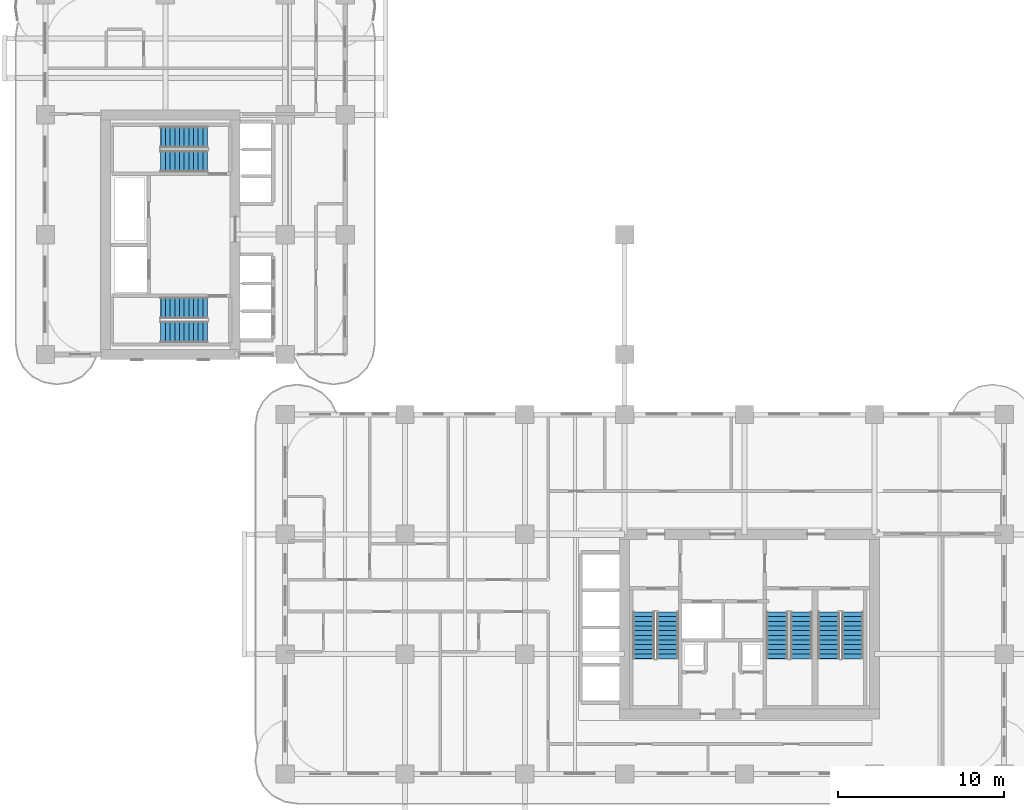
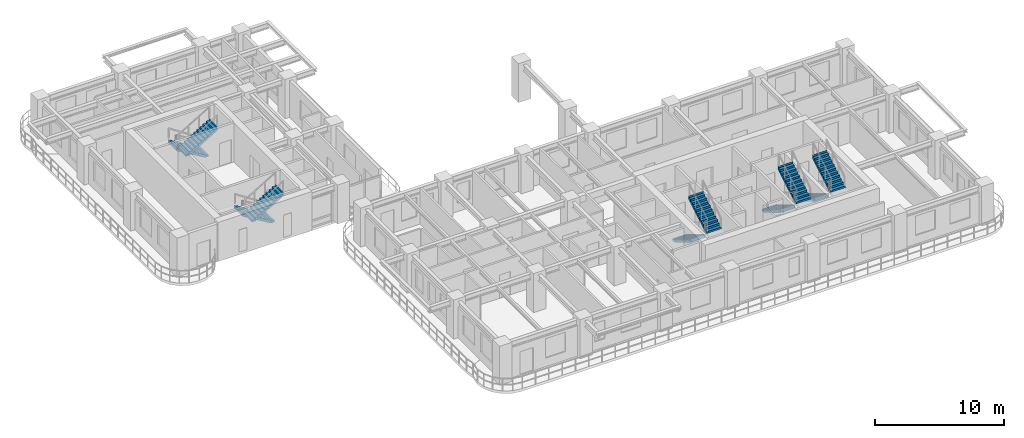
# One storey, part 12 of 19: 10 stair flights, 5 elements without a shape of their own.
"""IFC4 building model written with IfcOpenShell, lengths in metres."""

from ifc_helpers import new_model, si_unit, derived_unit, direction, frame, origin, place, context, subcontext, project, spatial, polyline, outline, extrude, source, transform, mapped, material, layer, layer_set, type_object, element, aggregate, save


model = new_model("IFC4")

# Units and contexts
model_context = context("Model", 3, precision=1e-05, world=origin(), true_north=direction((0.0, 1.0)))
body_context = subcontext(model_context, "Body", "Model", "MODEL_VIEW")
ifc_project = project(units=[si_unit("LENGTHUNIT", "METRE"), si_unit("AREAUNIT", "SQUARE_METRE"), si_unit("VOLUMEUNIT", "CUBIC_METRE"), si_unit("PLANEANGLEUNIT", "RADIAN"), si_unit("MASSUNIT", "GRAM", prefix="KILO"), si_unit("THERMODYNAMICTEMPERATUREUNIT", "KELVIN"), si_unit("POWERUNIT", "WATT"), derived_unit("THERMALTRANSMITTANCEUNIT", [(si_unit("POWERUNIT", "WATT"), 1), (si_unit("AREAUNIT", "SQUARE_METRE"), -1), (si_unit("THERMODYNAMICTEMPERATUREUNIT", "KELVIN"), -1)])], contexts=[model_context])

# Site, building, storey
site_placement = place(None, origin())
site = spatial("IfcSite", under=ifc_project, at=site_placement, CompositionType="ELEMENT")
building_placement = place(site_placement, origin())
building = spatial("IfcBuilding", under=site, at=building_placement, Name="Zahravan Archway Hotel and Residences", CompositionType="ELEMENT")
storey_placement = place(building_placement, frame((0.0, 0.0, 43.5)))
storey = spatial("IfcBuildingStorey", under=building, at=storey_placement, Name="L09", CompositionType="ELEMENT", Elevation=43.5)

# Stair, stair flights
ifc_material = material(Name="Concrete C50/60", Category="concrete")
stair_type = type_object("IfcStairType", Name="STR-CORE-1300", PredefinedType="HALF_TURN_STAIR", material=ifc_material)
stair_1_placement = place(storey_placement, origin())
stair_1 = element("IfcStair", 1, at=stair_1_placement, inside=storey, type_object=stair_type, Name="L09 Core A Exit Stair 1", PredefinedType="HALF_TURN_STAIR")
ifc_layer = layer(ifc_material, 0.199951171875, Name="Concrete C50/60", Category="concrete")
ifc_layer_set = layer_set([ifc_layer], Name="Concrete C50/60")
stair_flight_type = type_object("IfcStairFlightType", Name="SFL-CORE-1300", PredefinedType="STRAIGHT", material=ifc_layer_set)
shared_shape = source(origin(), body_context, "Body", "SweptSolid", [
    extrude(outline(polyline([(-0.01611328125, 0.0), (-0.01611328125, 0.168212890625), (0.280029296875, 0.168212890625), (0.280029296875, 0.33642578125), (0.56005859375, 0.33642578125), (0.56005859375, 0.504638671875), (0.840087890625, 0.504638671875), (0.840087890625, 0.672607421875), (1.1201171875, 0.672607421875), (1.1201171875, 0.8408203125), (1.39990234375, 0.8408203125), (1.39990234375, 1.009033203125), (1.679931640625, 1.009033203125), (1.679931640625, 1.17724609375), (1.9599609375, 1.17724609375), (1.9599609375, 1.345458984375), (2.239990234375, 1.345458984375), (2.239990234375, 1.513671875), (2.52001953125, 1.513671875), (2.52001953125, 1.681884765625), (2.800048828125, 1.681884765625), (2.800048828125, 1.85009765625), (2.816162109375, 1.85009765625), (2.816162109375, 1.5068359375), (0.291015625, 0.0), (-0.01611328125, 0.0)])), frame((0.0, 0.64990234375, 0.0), z_axis=(0.0, -1.0, 0.0), x_axis=(1.0, 0.0, 0.0)), (0.0, 0.0, 1.0), 1.300048828125),
])
stair_flight_1_placement = place(storey_placement, frame((35.949951171875, 9.72998046875, 0.0), z_axis=(0.0, 0.0, 1.0), x_axis=(0.0, -1.0, 0.0)))
stair_flight_1 = element("IfcStairFlight", 2, at=stair_flight_1_placement, type_object=stair_flight_type, Name="ST-A1 flight 1", NumberOfRisers=11, NumberOfTreads=10, PredefinedType="STRAIGHT", RiserHeight=0.168181818, TreadLength=0.28, context=body_context, shape_type="MappedRepresentation", body=[
    mapped(shared_shape, transform((0.0, 0.0, 0.0), scale=1.0)),
])
stair_flight_2_placement = place(storey_placement, frame((37.389892578125, 6.929931640625, 1.85009765625), z_axis=(0.0, 0.0, 1.0), x_axis=(0.0, 1.0, 0.0)))
stair_flight_2 = element("IfcStairFlight", 3, at=stair_flight_2_placement, type_object=stair_flight_type, Name="ST-A1 flight 2", NumberOfRisers=11, NumberOfTreads=10, PredefinedType="STRAIGHT", RiserHeight=0.168181818, TreadLength=0.28, context=body_context, shape_type="MappedRepresentation", body=[
    mapped(shared_shape, transform((0.0, 0.0, 0.0), scale=1.0)),
])
aggregate(stair_1, [stair_flight_1, stair_flight_2])

stair_2_placement = place(storey_placement, origin())
stair_2 = element("IfcStair", 4, at=stair_2_placement, inside=storey, type_object=stair_type, Name="L09 Core A Exit Stair 2", PredefinedType="HALF_TURN_STAIR")
stair_flight_3_placement = place(storey_placement, frame((43.969970703125, 9.72998046875, 0.0), z_axis=(0.0, 0.0, 1.0), x_axis=(0.0, -1.0, 0.0)))
stair_flight_3 = element("IfcStairFlight", 5, at=stair_flight_3_placement, type_object=stair_flight_type, Name="ST-A2 flight 1", NumberOfRisers=11, NumberOfTreads=10, PredefinedType="STRAIGHT", RiserHeight=0.168181818, TreadLength=0.28, context=body_context, shape_type="MappedRepresentation", body=[
    mapped(shared_shape, transform((0.0, 0.0, 0.0), scale=1.0)),
])
stair_flight_4_placement = place(storey_placement, frame((45.409912109375, 6.929931640625, 1.85009765625), z_axis=(0.0, 0.0, 1.0), x_axis=(0.0, 1.0, 0.0)))
stair_flight_4 = element("IfcStairFlight", 6, at=stair_flight_4_placement, type_object=stair_flight_type, Name="ST-A2 flight 2", NumberOfRisers=11, NumberOfTreads=10, PredefinedType="STRAIGHT", RiserHeight=0.168181818, TreadLength=0.28, context=body_context, shape_type="MappedRepresentation", body=[
    mapped(shared_shape, transform((0.0, 0.0, 0.0), scale=1.0)),
])
aggregate(stair_2, [stair_flight_3, stair_flight_4])

stair_3_placement = place(storey_placement, origin())
stair_3 = element("IfcStair", 7, at=stair_3_placement, inside=storey, type_object=stair_type, Name="L09 Core A Exit Stair 3", PredefinedType="HALF_TURN_STAIR")
stair_flight_5_placement = place(storey_placement, frame((47.050048828125, 9.72998046875, 0.0), z_axis=(0.0, 0.0, 1.0), x_axis=(0.0, -1.0, 0.0)))
stair_flight_5 = element("IfcStairFlight", 8, at=stair_flight_5_placement, type_object=stair_flight_type, Name="ST-A3 flight 1", NumberOfRisers=11, NumberOfTreads=10, PredefinedType="STRAIGHT", RiserHeight=0.168181818, TreadLength=0.28, context=body_context, shape_type="MappedRepresentation", body=[
    mapped(shared_shape, transform((0.0, 0.0, 0.0), scale=1.0)),
])
stair_flight_6_placement = place(storey_placement, frame((48.489990234375, 6.929931640625, 1.85009765625), z_axis=(0.0, 0.0, 1.0), x_axis=(0.0, 1.0, 0.0)))
stair_flight_6 = element("IfcStairFlight", 9, at=stair_flight_6_placement, type_object=stair_flight_type, Name="ST-A3 flight 2", NumberOfRisers=11, NumberOfTreads=10, PredefinedType="STRAIGHT", RiserHeight=0.168181818, TreadLength=0.28, context=body_context, shape_type="MappedRepresentation", body=[
    mapped(shared_shape, transform((0.0, 0.0, 0.0), scale=1.0)),
])
aggregate(stair_3, [stair_flight_5, stair_flight_6])

stair_4_placement = place(storey_placement, origin())
stair_4 = element("IfcStair", 10, at=stair_4_placement, inside=storey, type_object=stair_type, Name="L09 Core B Exit Stair 1", PredefinedType="HALF_TURN_STAIR")
stair_flight_7_placement = place(storey_placement, frame((9.72998046875, 27.989990234375, 0.0), z_axis=(0.0, 0.0, 1.0), x_axis=(-1.0, 0.0, 0.0)))
stair_flight_7 = element("IfcStairFlight", 11, at=stair_flight_7_placement, type_object=stair_flight_type, Name="ST-B1 flight 1", NumberOfRisers=11, NumberOfTreads=10, PredefinedType="STRAIGHT", RiserHeight=0.168181818, TreadLength=0.28, context=body_context, shape_type="MappedRepresentation", body=[
    mapped(shared_shape, transform((0.0, 0.0, 0.0), scale=1.0)),
])
stair_flight_8_placement = place(storey_placement, frame((6.929931640625, 26.550048828125, 1.85009765625), z_axis=(0.0, 0.0, 1.0), x_axis=(1.0, 0.0, 0.0)))
stair_flight_8 = element("IfcStairFlight", 12, at=stair_flight_8_placement, type_object=stair_flight_type, Name="ST-B1 flight 2", NumberOfRisers=11, NumberOfTreads=10, PredefinedType="STRAIGHT", RiserHeight=0.168181818, TreadLength=0.28, context=body_context, shape_type="MappedRepresentation", body=[
    mapped(shared_shape, transform((0.0, 0.0, 0.0), scale=1.0)),
])
aggregate(stair_4, [stair_flight_7, stair_flight_8])

stair_5_placement = place(storey_placement, origin())
stair_5 = element("IfcStair", 13, at=stair_5_placement, inside=storey, type_object=stair_type, Name="L09 Core B Exit Stair 2", PredefinedType="HALF_TURN_STAIR")
stair_flight_9_placement = place(storey_placement, frame((9.72998046875, 38.25, 0.0), z_axis=(0.0, 0.0, 1.0), x_axis=(-1.0, 0.0, 0.0)))
stair_flight_9 = element("IfcStairFlight", 14, at=stair_flight_9_placement, type_object=stair_flight_type, Name="ST-B2 flight 1", NumberOfRisers=11, NumberOfTreads=10, PredefinedType="STRAIGHT", RiserHeight=0.168181818, TreadLength=0.28, context=body_context, shape_type="MappedRepresentation", body=[
    mapped(shared_shape, transform((0.0, 0.0, 0.0), scale=1.0)),
])
stair_flight_10_placement = place(storey_placement, frame((6.929931640625, 36.81005859375, 1.85009765625), z_axis=(0.0, 0.0, 1.0), x_axis=(1.0, 0.0, 0.0)))
stair_flight_10 = element("IfcStairFlight", 15, at=stair_flight_10_placement, type_object=stair_flight_type, Name="ST-B2 flight 2", NumberOfRisers=11, NumberOfTreads=10, PredefinedType="STRAIGHT", RiserHeight=0.168181818, TreadLength=0.28, context=body_context, shape_type="MappedRepresentation", body=[
    mapped(shared_shape, transform((0.0, 0.0, 0.0), scale=1.0)),
])
aggregate(stair_5, [stair_flight_9, stair_flight_10])

save(model, "model.ifc")
